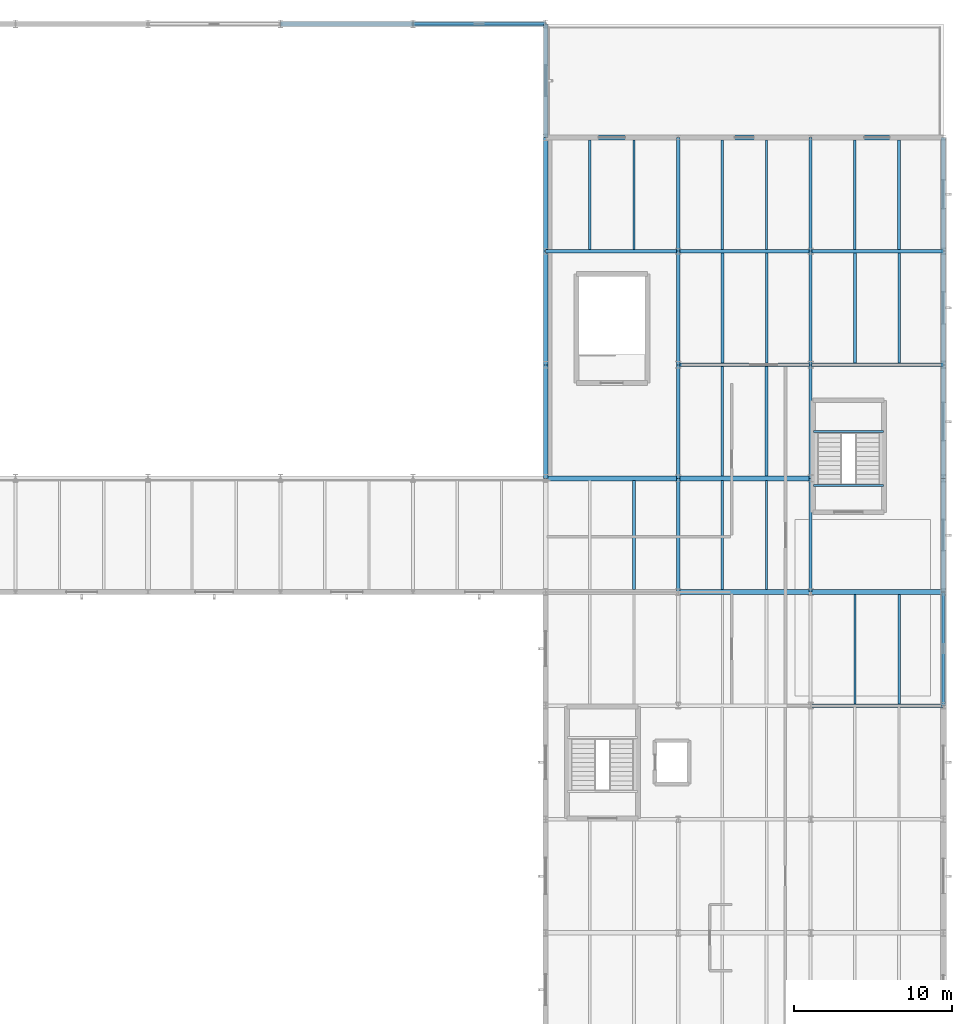
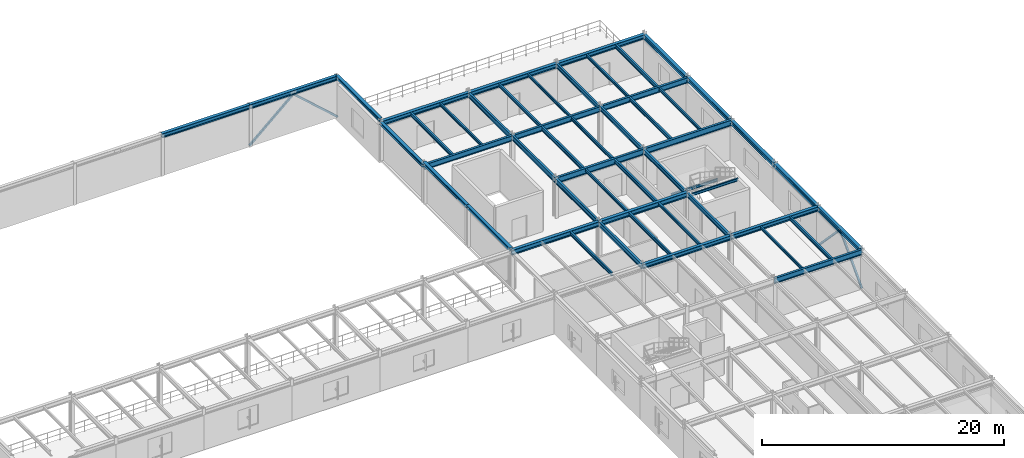
# One storey, part 44 of 109: 51 beams, 4 members.
"""IFC4 building model written with IfcOpenShell, lengths in metres."""

import ifcopenshell
import ifcopenshell.guid

model = None  # the IFC model being written
_history = None  # IfcOwnerHistory: only IFC2X3 demands one
_inside = {}  # id of a spatial element -> (the spatial element, [elements in it])
_under = {}  # id of a project, library or spatial element -> (it, [spatial elements below it])
_declared = {}  # id of a project -> (the project, [libraries it declares])
_typed = {}  # id of a type object -> (the type object, [elements of that type])
_made_of = {}  # id of a material, layer set ... -> (it, [elements and type objects made of it])


def new_model(schema):
    """Start an empty IFC model of exactly this schema.

    Asked for "IFC4X3", IfcOpenShell would pick the latest addendum, in which some entities
    have other attributes; the version numbers below select the first issue.
    IFC2X3 requires an IfcOwnerHistory on every rooted entity: one is made here for all.
    """
    global model, _history
    if schema == "IFC4X3":
        model = ifcopenshell.file(schema_version=(4, 3, 0, 0))
    else:
        model = ifcopenshell.file(schema=schema)
    _inside.clear()
    _under.clear()
    _declared.clear()
    _typed.clear()
    _made_of.clear()
    _history = None
    if model.schema == "IFC2X3":
        org = make("IfcOrganization", Name="unknown")
        user = make(
            "IfcPersonAndOrganization",
            ThePerson=make("IfcPerson", FamilyName="unknown"),
            TheOrganization=org,
        )
        app = make(
            "IfcApplication",
            ApplicationDeveloper=org,
            Version="unknown",
            ApplicationFullName="unknown",
            ApplicationIdentifier="unknown",
        )
        _history = make(
            "IfcOwnerHistory",
            OwningUser=user,
            OwningApplication=app,
            ChangeAction="ADDED",
            CreationDate=0,
        )
    return model


def make(cls, **values):
    """One entity of the class cls with the attributes given. An attribute that is None is left unset."""
    return model.create_entity(
        cls, **{name: value for name, value in values.items() if value is not None}
    )


def rooted(cls, **values):
    """An entity with a GlobalId (a new one), such as an element, a storey or a relation."""
    return make(cls, GlobalId=ifcopenshell.guid.new(), OwnerHistory=_history, **values)


def si_unit(unit_type, name, prefix=None):
    """IfcSIUnit, for example si_unit("LENGTHUNIT", "METRE", prefix="MILLI")."""
    return make("IfcSIUnit", UnitType=unit_type, Prefix=prefix, Name=name)


def derived_unit(unit_type, elements):
    """IfcDerivedUnit: a product of units, each with its exponent."""
    return make(
        "IfcDerivedUnit",
        Elements=[
            make("IfcDerivedUnitElement", Unit=unit, Exponent=power)
            for unit, power in elements
        ],
        UnitType=unit_type,
    )


def assignment(units):
    """IfcUnitAssignment: the units of a project."""
    return None if units is None else make("IfcUnitAssignment", Units=units)


def point(xyz):
    """IfcCartesianPoint."""
    return None if xyz is None else make("IfcCartesianPoint", Coordinates=xyz)


def direction(xyz):
    """IfcDirection."""
    return None if xyz is None else make("IfcDirection", DirectionRatios=xyz)


def frame(location, z_axis=None, x_axis=None):
    """IfcAxis2Placement3D, a coordinate frame: its origin and axes. An axis left out is left unset."""
    return make(
        "IfcAxis2Placement3D",
        Location=point(location),
        Axis=direction(z_axis),
        RefDirection=direction(x_axis),
    )


def frame_2d(location, x_axis=None):
    """IfcAxis2Placement2D, a coordinate frame in the plane: its origin and x axis."""
    return make(
        "IfcAxis2Placement2D", Location=point(location), RefDirection=direction(x_axis)
    )


def origin():
    """The frame at (0, 0, 0) with its axes left unset."""
    return frame((0.0, 0.0, 0.0))


def origin_2d():
    """The frame at (0, 0) in the plane with its x axis left unset."""
    return frame_2d((0.0, 0.0))


def place(relative_to, where):
    """IfcLocalPlacement: puts the frame where relative to a parent placement (None: the world)."""
    return make(
        "IfcLocalPlacement", PlacementRelTo=relative_to, RelativePlacement=where
    )


def context(
    kind, dimensions, precision=None, world=None, true_north=None, identifier=None
):
    """IfcGeometricRepresentationContext, for example the 3D "Model" context."""
    return make(
        "IfcGeometricRepresentationContext",
        ContextIdentifier=identifier,
        ContextType=kind,
        CoordinateSpaceDimension=dimensions,
        Precision=precision,
        WorldCoordinateSystem=world,
        TrueNorth=true_north,
    )


def subcontext(parent, identifier, kind, view, scale=None):
    """IfcGeometricRepresentationSubContext, for example "Body" below "Model"."""
    return make(
        "IfcGeometricRepresentationSubContext",
        ContextIdentifier=identifier,
        ContextType=kind,
        ParentContext=parent,
        TargetScale=scale,
        TargetView=view,
    )


def project(units=None, contexts=None):
    """IfcProject with its units and contexts."""
    return rooted(
        "IfcProject",
        Name="project",
        RepresentationContexts=contexts,
        UnitsInContext=assignment(units),
    )


def spatial(cls, under=None, at=None, **own):
    """A site, building, storey or space (cls), placed at a placement, below another one or the project."""
    s = rooted(cls, ObjectPlacement=at, **own)
    if under is not None:
        _under.setdefault(under.id(), (under, []))[1].append(s)
    return s


def profile(cls, at=None, kind="AREA", **sizes):
    """A parametric profile (cls). Its sizes go by their IFC names, for example OverallWidth=200.0."""
    return make(cls, ProfileType=kind, Position=at, **sizes)


def hollow_rectangle(**sizes):
    """IfcRectangleHollowProfileDef."""
    return profile("IfcRectangleHollowProfileDef", **sizes)


def i_section(**sizes):
    """IfcIShapeProfileDef."""
    return profile("IfcIShapeProfileDef", **sizes)


def extrude(swept, where, along, depth):
    """IfcExtrudedAreaSolid: the profile swept, set in the frame where, extruded along a direction by depth."""
    return make(
        "IfcExtrudedAreaSolid",
        SweptArea=swept,
        Position=where,
        ExtrudedDirection=direction(along),
        Depth=depth,
    )


def shape(context_of_items, identifier, shape_type, items):
    """IfcShapeRepresentation: the items that make up one representation, for example the "Body"."""
    return make(
        "IfcShapeRepresentation",
        ContextOfItems=context_of_items,
        RepresentationIdentifier=identifier,
        RepresentationType=shape_type,
        Items=items,
    )


def material(Name=None, Category=None):
    """IfcMaterial."""
    return make("IfcMaterial", Name=Name, Category=Category)


def material_profile(
    of_material, cross_section, Name=None, Category=None, Priority=None
):
    """IfcMaterialProfile: a cross section and its material."""
    return make(
        "IfcMaterialProfile",
        Name=Name,
        Material=of_material,
        Profile=cross_section,
        Priority=Priority,
        Category=Category,
    )


def profile_set(profiles, Name=None, composite=None):
    """IfcMaterialProfileSet."""
    return make(
        "IfcMaterialProfileSet",
        Name=Name,
        MaterialProfiles=profiles,
        CompositeProfile=composite,
    )


def made_of(thing, what):
    """Note that an element or type object is made of a material, layer set ...; save() writes the relation."""
    if what is not None:
        _made_of.setdefault(what.id(), (what, []))[1].append(thing)
    return thing


def type_object(cls, material=None, **own):
    """A type object (cls), such as IfcWallType, which elements share."""
    return made_of(rooted(cls, **own), material)


def element(
    cls,
    number,
    at=None,
    inside=None,
    cuts=None,
    type_object=None,
    material=None,
    context=None,
    identifier="Body",
    shape_type=None,
    held_by="IfcProductDefinitionShape",
    body=None,
    shapes=None,
    **own,
):
    """One element of the class cls, such as IfcWall. Its Tag is "e" and its number.

    at: its placement. inside: the storey or other place that contains it. cuts: it is an
    opening in that element (IfcRelVoidsElement). A single representation is given by context,
    identifier, shape_type and body (its items); several are given by shapes. held_by: the class
    of the entity that holds the representations. save() writes the other relations.
    """
    e = rooted(cls, Tag="e%d" % number, ObjectPlacement=at, **own)
    if body is not None:
        shapes = [shape(context, identifier, shape_type, body)]
    if shapes is not None:
        e.Representation = make(held_by, Representations=shapes)
    if inside is not None:
        _inside.setdefault(inside.id(), (inside, []))[1].append(e)
    if cuts is not None:
        rooted(
            "IfcRelVoidsElement", RelatingBuildingElement=cuts, RelatedOpeningElement=e
        )
    if type_object is not None:
        _typed.setdefault(type_object.id(), (type_object, []))[1].append(e)
    return made_of(e, material)


def aggregate(whole, parts):
    """IfcRelAggregates: a whole, such as a stair, and the parts it consists of."""
    return rooted("IfcRelAggregates", RelatingObject=whole, RelatedObjects=parts)


def save(model, path):
    """Write the relations noted so far, then the file.

    IfcRelAggregates (storeys below a building ...), IfcRelContainedInSpatialStructure (elements
    in a storey), IfcRelDefinesByType, IfcRelAssociatesMaterial and IfcRelDeclares: one each for
    every whole, place, type object, material and project.
    """
    for whole, parts in _under.values():
        aggregate(whole, parts)
    for where, things in _inside.values():
        rooted(
            "IfcRelContainedInSpatialStructure",
            RelatedElements=things,
            RelatingStructure=where,
        )
    for kind, things in _typed.values():
        rooted("IfcRelDefinesByType", RelatedObjects=things, RelatingType=kind)
    for what, things in _made_of.values():
        rooted("IfcRelAssociatesMaterial", RelatedObjects=things, RelatingMaterial=what)
    for by, libraries in _declared.values():
        rooted("IfcRelDeclares", RelatingContext=by, RelatedDefinitions=libraries)
    model.write(path)


model = new_model("IFC4")

# Units and contexts
model_context = context("Model", 3, precision=1e-05, world=origin(), true_north=direction((0.0, 1.0)))
body_context = subcontext(model_context, "Body", "Model", "MODEL_VIEW")
ifc_project = project(units=[si_unit("LENGTHUNIT", "METRE"), si_unit("AREAUNIT", "SQUARE_METRE"), si_unit("VOLUMEUNIT", "CUBIC_METRE"), si_unit("PLANEANGLEUNIT", "RADIAN"), si_unit("MASSUNIT", "GRAM", prefix="KILO"), derived_unit("THERMALTRANSMITTANCEUNIT", [(si_unit("MASSUNIT", "GRAM", prefix="KILO"), 1), (si_unit("TIMEUNIT", "SECOND"), -3), (si_unit("THERMODYNAMICTEMPERATUREUNIT", "KELVIN"), -1)])], contexts=[model_context])

# Site, building, storey
site_placement = place(None, origin())
site = spatial("IfcSite", under=ifc_project, at=site_placement, CompositionType="ELEMENT")
building_placement = place(site_placement, origin())
building = spatial("IfcBuilding", under=site, at=building_placement, Name="Kharveza Railside Sports Centre", CompositionType="ELEMENT")
storey_placement = place(building_placement, frame((0.0, 0.0, 4.5)))
storey = spatial("IfcBuildingStorey", under=building, at=storey_placement, Name="L01", CompositionType="ELEMENT", Elevation=4.5)

# Beams
ifc_material = material(Name="Steel S355J2", Category="steel")
ifc_material_profile_1 = material_profile(ifc_material, i_section(OverallWidth=0.219970703125, OverallDepth=0.60009765625, WebThickness=0.011962890625, FlangeThickness=0.01904296875, FilletRadius=0.02392578125, at=origin_2d()), Name="IPE 600")
ifc_profile_set_1 = profile_set([ifc_material_profile_1], Name="Steel S355J2")
beam_type_1 = type_object("IfcBeamType", Name="BM-G01", PredefinedType="T_BEAM", material=ifc_profile_set_1)
beam_1_placement = place(storey_placement, frame((151.199951171875, 86.39990234375, 3.699951171875), z_axis=(1.0, 0.0, 0.0), x_axis=(0.0, 1.0, 0.0)))
element("IfcBeam", 1, at=beam_1_placement, inside=storey, type_object=beam_type_1, Name="BM-EW-L01-B01-X1512-Y864", PredefinedType="T_BEAM", context=body_context, shape_type="SweptSolid", body=[
    extrude(i_section(OverallWidth=0.219970703125, OverallDepth=0.60009765625, WebThickness=0.011962890625, FlangeThickness=0.01904296875, FilletRadius=0.02392578125, at=origin_2d()), origin(), (0.0, 0.0, 1.0), 8.400146484375),
])
beam_2_placement = place(storey_placement, frame((159.60009765625, 86.39990234375, 3.699951171875), z_axis=(1.0, 0.0, 0.0), x_axis=(0.0, 1.0, 0.0)))
element("IfcBeam", 2, at=beam_2_placement, inside=storey, type_object=beam_type_1, Name="BM-EW-L01-B01-X1596-Y864", PredefinedType="T_BEAM", context=body_context, shape_type="SweptSolid", body=[
    extrude(i_section(OverallWidth=0.219970703125, OverallDepth=0.60009765625, WebThickness=0.011962890625, FlangeThickness=0.01904296875, FilletRadius=0.02392578125, at=origin_2d()), origin(), (0.0, 0.0, 1.0), 8.39990234375),
])
ifc_material_profile_2 = material_profile(ifc_material, i_section(OverallWidth=0.2099609375, OverallDepth=0.550048828125, WebThickness=0.010986328125, FlangeThickness=0.01708984375, FilletRadius=0.02392578125, at=origin_2d()), Name="IPE 550")
ifc_profile_set_2 = profile_set([ifc_material_profile_2], Name="Steel S355J2")
beam_type_2 = type_object("IfcBeamType", Name="BM-G02", PredefinedType="T_BEAM", material=ifc_profile_set_2)
beam_3_placement = place(storey_placement, frame((142.800048828125, 93.60009765625, 3.64501953125), z_axis=(1.0, 0.0, 0.0), x_axis=(0.0, 1.0, 0.0)))
element("IfcBeam", 3, at=beam_3_placement, inside=storey, type_object=beam_type_2, Name="BM-EW-L01-B02-X1428-Y936", PredefinedType="T_BEAM", context=body_context, shape_type="SweptSolid", body=[
    extrude(i_section(OverallWidth=0.2099609375, OverallDepth=0.550048828125, WebThickness=0.010986328125, FlangeThickness=0.01708984375, FilletRadius=0.02392578125, at=origin_2d()), origin(), (0.0, 0.0, 1.0), 8.39990234375),
])
beam_4_placement = place(storey_placement, frame((151.199951171875, 93.60009765625, 3.64501953125), z_axis=(1.0, 0.0, 0.0), x_axis=(0.0, 1.0, 0.0)))
element("IfcBeam", 4, at=beam_4_placement, inside=storey, type_object=beam_type_2, Name="BM-EW-L01-B02-X1512-Y936", PredefinedType="T_BEAM", context=body_context, shape_type="SweptSolid", body=[
    extrude(i_section(OverallWidth=0.2099609375, OverallDepth=0.550048828125, WebThickness=0.010986328125, FlangeThickness=0.01708984375, FilletRadius=0.02392578125, at=origin_2d()), origin(), (0.0, 0.0, 1.0), 8.400146484375),
])
for number, where, z_axis, x_axis, name in (
    (5, (159.60009765625, 64.800048828125, 3.72509765625), (1.0, 0.0, 0.0), (0.0, 1.0, 0.0), "BM-EW-L01-B02-X1596-Y648"),
    (6, (159.60009765625, 93.60009765625, 3.64501953125), (1.0, 0.0, 0.0), (0.0, 1.0, 0.0), "BM-EW-L01-B02-X1596-Y936"),
):
    element("IfcBeam", number, at=place(storey_placement, frame(where, z_axis=z_axis, x_axis=x_axis)), inside=storey, type_object=beam_type_2, Name=name, PredefinedType="T_BEAM", context=body_context, shape_type="SweptSolid", body=[
        extrude(i_section(OverallWidth=0.2099609375, OverallDepth=0.550048828125, WebThickness=0.010986328125, FlangeThickness=0.01708984375, FilletRadius=0.02392578125, at=origin_2d()), origin(), (0.0, 0.0, 1.0), 8.39990234375),
    ])
ifc_material_profile_3 = material_profile(ifc_material, i_section(OverallWidth=0.199951171875, OverallDepth=0.5, WebThickness=0.01025390625, FlangeThickness=0.01611328125, FilletRadius=0.02099609375, at=origin_2d()), Name="IPE 500")
ifc_profile_set_3 = profile_set([ifc_material_profile_3], Name="Steel S355J2")
beam_type_3 = type_object("IfcBeamType", Name="BM-G03", PredefinedType="T_BEAM", material=ifc_profile_set_3)
for number, where, z_axis, x_axis, name in (
    (7, (151.199951171875, 72.0, 3.75), (0.0, 1.0, 0.0), (-1.0, 0.0, 0.0), "BM-NS-L01-B03-X1512-Y720"),
    (8, (151.199951171875, 79.199951171875, 3.75), (0.0, 1.0, 0.0), (-1.0, 0.0, 0.0), "BM-NS-L01-B03-X1512-Y792"),
):
    element("IfcBeam", number, at=place(storey_placement, frame(where, z_axis=z_axis, x_axis=x_axis)), inside=storey, type_object=beam_type_3, Name=name, PredefinedType="T_BEAM", context=body_context, shape_type="SweptSolid", body=[
        extrude(i_section(OverallWidth=0.199951171875, OverallDepth=0.5, WebThickness=0.01025390625, FlangeThickness=0.01611328125, FilletRadius=0.02099609375, at=origin_2d()), origin(), (0.0, 0.0, 1.0), 7.199951171875),
    ])
beam_5_placement = place(storey_placement, frame((151.199951171875, 86.39990234375, 3.75), z_axis=(0.0, 1.0, 0.0), x_axis=(-1.0, 0.0, 0.0)))
element("IfcBeam", 9, at=beam_5_placement, inside=storey, type_object=beam_type_3, Name="BM-NS-L01-B03-X1512-Y864", PredefinedType="T_BEAM", context=body_context, shape_type="SweptSolid", body=[
    extrude(i_section(OverallWidth=0.199951171875, OverallDepth=0.5, WebThickness=0.01025390625, FlangeThickness=0.01611328125, FilletRadius=0.02099609375, at=origin_2d()), origin(), (0.0, 0.0, 1.0), 7.2001953125),
])
beam_6_placement = place(storey_placement, frame((151.199951171875, 93.60009765625, 3.669921875), z_axis=(0.0, 1.0, 0.0), x_axis=(-1.0, 0.0, 0.0)))
element("IfcBeam", 10, at=beam_6_placement, inside=storey, type_object=beam_type_3, Name="BM-NS-L01-B03-X1512-Y936", PredefinedType="T_BEAM", context=body_context, shape_type="SweptSolid", body=[
    extrude(i_section(OverallWidth=0.199951171875, OverallDepth=0.5, WebThickness=0.01025390625, FlangeThickness=0.01611328125, FilletRadius=0.02099609375, at=origin_2d()), origin(), (0.0, 0.0, 1.0), 7.199951171875),
])
ifc_material_profile_4 = material_profile(ifc_material, i_section(OverallWidth=0.18994140625, OverallDepth=0.449951171875, WebThickness=0.009521484375, FlangeThickness=0.0146484375, FilletRadius=0.02099609375, at=origin_2d()), Name="IPE 450")
ifc_profile_set_4 = profile_set([ifc_material_profile_4], Name="Steel S355J2")
beam_type_4 = type_object("IfcBeamType", Name="BM-G04", PredefinedType="T_BEAM", material=ifc_profile_set_4)
for number, where, z_axis, x_axis, name in (
    (11, (159.60009765625, 72.0, 3.77490234375), (0.0, 1.0, 0.0), (-1.0, 0.0, 0.0), "BM-NS-L01-B04-X1596-Y720"),
    (12, (159.60009765625, 79.199951171875, 3.77490234375), (0.0, 1.0, 0.0), (-1.0, 0.0, 0.0), "BM-NS-L01-B04-X1596-Y792"),
):
    element("IfcBeam", number, at=place(storey_placement, frame(where, z_axis=z_axis, x_axis=x_axis)), inside=storey, type_object=beam_type_4, Name=name, PredefinedType="T_BEAM", context=body_context, shape_type="SweptSolid", body=[
        extrude(i_section(OverallWidth=0.18994140625, OverallDepth=0.449951171875, WebThickness=0.009521484375, FlangeThickness=0.0146484375, FilletRadius=0.02099609375, at=origin_2d()), origin(), (0.0, 0.0, 1.0), 7.199951171875),
    ])
beam_7_placement = place(storey_placement, frame((159.60009765625, 86.39990234375, 3.77490234375), z_axis=(0.0, 1.0, 0.0), x_axis=(-1.0, 0.0, 0.0)))
element("IfcBeam", 13, at=beam_7_placement, inside=storey, type_object=beam_type_4, Name="BM-NS-L01-B04-X1596-Y864", PredefinedType="T_BEAM", context=body_context, shape_type="SweptSolid", body=[
    extrude(i_section(OverallWidth=0.18994140625, OverallDepth=0.449951171875, WebThickness=0.009521484375, FlangeThickness=0.0146484375, FilletRadius=0.02099609375, at=origin_2d()), origin(), (0.0, 0.0, 1.0), 7.2001953125),
])
beam_8_placement = place(storey_placement, frame((159.60009765625, 93.60009765625, 3.695068359375), z_axis=(0.0, 1.0, 0.0), x_axis=(-1.0, 0.0, 0.0)))
element("IfcBeam", 14, at=beam_8_placement, inside=storey, type_object=beam_type_4, Name="BM-NS-L01-B04-X1596-Y936", PredefinedType="T_BEAM", context=body_context, shape_type="SweptSolid", body=[
    extrude(i_section(OverallWidth=0.18994140625, OverallDepth=0.449951171875, WebThickness=0.009521484375, FlangeThickness=0.0146484375, FilletRadius=0.02099609375, at=origin_2d()), origin(), (0.0, 0.0, 1.0), 7.199951171875),
])
ifc_material_profile_5 = material_profile(ifc_material, i_section(OverallWidth=0.300048828125, OverallDepth=0.5, WebThickness=0.014404296875, FlangeThickness=0.028076171875, FilletRadius=0.027099609375, at=origin_2d()), Name="HEB 500")
ifc_profile_set_5 = profile_set([ifc_material_profile_5], Name="Steel S355J2")
beam_type_5 = type_object("IfcBeamType", Name="BM-G05", PredefinedType="T_BEAM", material=ifc_profile_set_5)
beam_9_placement = place(storey_placement, frame((142.800048828125, 79.199951171875, 3.75), z_axis=(1.0, 0.0, 0.0), x_axis=(0.0, 1.0, 0.0)))
element("IfcBeam", 15, at=beam_9_placement, inside=storey, type_object=beam_type_5, Name="BM-EW-L01-B05-X1428-Y792", PredefinedType="T_BEAM", context=body_context, shape_type="SweptSolid", body=[
    extrude(i_section(OverallWidth=0.300048828125, OverallDepth=0.5, WebThickness=0.014404296875, FlangeThickness=0.028076171875, FilletRadius=0.027099609375, at=origin_2d()), origin(), (0.0, 0.0, 1.0), 8.39990234375),
])
beam_10_placement = place(storey_placement, frame((151.199951171875, 79.199951171875, 3.75), z_axis=(1.0, 0.0, 0.0), x_axis=(0.0, 1.0, 0.0)))
element("IfcBeam", 16, at=beam_10_placement, inside=storey, type_object=beam_type_5, Name="BM-EW-L01-B05-X1512-Y792", PredefinedType="T_BEAM", context=body_context, shape_type="SweptSolid", body=[
    extrude(i_section(OverallWidth=0.300048828125, OverallDepth=0.5, WebThickness=0.014404296875, FlangeThickness=0.028076171875, FilletRadius=0.027099609375, at=origin_2d()), origin(), (0.0, 0.0, 1.0), 8.400146484375),
])
ifc_material_profile_6 = material_profile(ifc_material, i_section(OverallWidth=0.300048828125, OverallDepth=0.449951171875, WebThickness=0.013916015625, FlangeThickness=0.02587890625, FilletRadius=0.027099609375, at=origin_2d()), Name="HEB 450")
ifc_profile_set_6 = profile_set([ifc_material_profile_6], Name="Steel S355J2")
beam_type_6 = type_object("IfcBeamType", Name="BM-G06", PredefinedType="T_BEAM", material=ifc_profile_set_6)
beam_11_placement = place(storey_placement, frame((142.800048828125, 100.800048828125, 3.695068359375), z_axis=(1.0, 0.0, 0.0), x_axis=(0.0, 1.0, 0.0)))
element("IfcBeam", 17, at=beam_11_placement, inside=storey, type_object=beam_type_6, Name="BM-EW-L01-B06-X1428-Y1008", PredefinedType="T_BEAM", context=body_context, shape_type="SweptSolid", body=[
    extrude(i_section(OverallWidth=0.300048828125, OverallDepth=0.449951171875, WebThickness=0.013916015625, FlangeThickness=0.02587890625, FilletRadius=0.027099609375, at=origin_2d()), origin(), (0.0, 0.0, 1.0), 8.39990234375),
])
for number, where, z_axis, x_axis, name in (
    (18, (151.199951171875, 72.0, 3.77490234375), (1.0, 0.0, 0.0), (0.0, 1.0, 0.0), "BM-EW-L01-B06-X1512-Y720"),
    (19, (151.199951171875, 100.800048828125, 3.695068359375), (1.0, 0.0, 0.0), (0.0, 1.0, 0.0), "BM-EW-L01-B06-X1512-Y1008"),
):
    element("IfcBeam", number, at=place(storey_placement, frame(where, z_axis=z_axis, x_axis=x_axis)), inside=storey, type_object=beam_type_6, Name=name, PredefinedType="T_BEAM", context=body_context, shape_type="SweptSolid", body=[
        extrude(i_section(OverallWidth=0.300048828125, OverallDepth=0.449951171875, WebThickness=0.013916015625, FlangeThickness=0.02587890625, FilletRadius=0.027099609375, at=origin_2d()), origin(), (0.0, 0.0, 1.0), 8.400146484375),
    ])
for number, where, z_axis, x_axis, name in (
    (20, (159.60009765625, 72.0, 3.77490234375), (1.0, 0.0, 0.0), (0.0, 1.0, 0.0), "BM-EW-L01-B06-X1596-Y720"),
    (21, (159.60009765625, 100.800048828125, 3.695068359375), (1.0, 0.0, 0.0), (0.0, 1.0, 0.0), "BM-EW-L01-B06-X1596-Y1008"),
):
    element("IfcBeam", number, at=place(storey_placement, frame(where, z_axis=z_axis, x_axis=x_axis)), inside=storey, type_object=beam_type_6, Name=name, PredefinedType="T_BEAM", context=body_context, shape_type="SweptSolid", body=[
        extrude(i_section(OverallWidth=0.300048828125, OverallDepth=0.449951171875, WebThickness=0.013916015625, FlangeThickness=0.02587890625, FilletRadius=0.027099609375, at=origin_2d()), origin(), (0.0, 0.0, 1.0), 8.39990234375),
    ])
ifc_material_profile_7 = material_profile(ifc_material, i_section(OverallWidth=0.179931640625, OverallDepth=0.39990234375, WebThickness=0.008544921875, FlangeThickness=0.013427734375, FilletRadius=0.02099609375, at=origin_2d()), Name="IPE 400")
ifc_profile_set_7 = profile_set([ifc_material_profile_7], Name="Steel S355J2")
beam_type_7 = type_object("IfcBeamType", Name="BM-S01", PredefinedType="BEAM", material=ifc_profile_set_7)
beam_12_placement = place(storey_placement, frame((156.800048828125, 79.346923828125, 3.800048828125), z_axis=(0.0, 1.0, 0.0), x_axis=(-1.0, 0.0, 0.0)))
element("IfcBeam", 22, at=beam_12_placement, inside=storey, type_object=beam_type_7, Name="BM-SEC-L01-B09-X1568-Y792", PredefinedType="BEAM", context=body_context, shape_type="SweptSolid", body=[
    extrude(i_section(OverallWidth=0.179931640625, OverallDepth=0.39990234375, WebThickness=0.008544921875, FlangeThickness=0.013427734375, FilletRadius=0.02099609375, at=origin_2d()), origin(), (0.0, 0.0, 1.0), 6.946044921875),
])
beam_13_placement = place(storey_placement, frame((154.0, 86.507080078125, 3.719970703125), z_axis=(0.0, 1.0, 0.0), x_axis=(-1.0, 0.0, 0.0)))
element("IfcBeam", 23, at=beam_13_placement, inside=storey, type_object=beam_type_7, Name="BM-SEC-L01-B09-X1540-Y864", PredefinedType="BEAM", context=body_context, shape_type="SweptSolid", body=[
    extrude(i_section(OverallWidth=0.179931640625, OverallDepth=0.39990234375, WebThickness=0.008544921875, FlangeThickness=0.013427734375, FilletRadius=0.02099609375, at=origin_2d()), origin(), (0.0, 0.0, 1.0), 6.990966796875),
])
beam_14_placement = place(storey_placement, frame((165.199951171875, 93.701904296875, 3.719970703125), z_axis=(0.0, 1.0, 0.0), x_axis=(-1.0, 0.0, 0.0)))
element("IfcBeam", 24, at=beam_14_placement, inside=storey, type_object=beam_type_7, Name="BM-SEC-L01-B09-X1652-Y936", PredefinedType="BEAM", context=body_context, shape_type="SweptSolid", body=[
    extrude(i_section(OverallWidth=0.179931640625, OverallDepth=0.39990234375, WebThickness=0.008544921875, FlangeThickness=0.013427734375, FilletRadius=0.02099609375, at=origin_2d()), origin(), (0.0, 0.0, 1.0), 6.951171875),
])
ifc_material_profile_8 = material_profile(ifc_material, i_section(OverallWidth=0.169921875, OverallDepth=0.360107421875, WebThickness=0.008056640625, FlangeThickness=0.0126953125, FilletRadius=0.01806640625, at=origin_2d()), Name="IPE 360")
ifc_profile_set_8 = profile_set([ifc_material_profile_8], Name="Steel S355J2")
beam_type_8 = type_object("IfcBeamType", Name="BM-S02", PredefinedType="BEAM", material=ifc_profile_set_8)
beam_15_placement = place(storey_placement, frame((148.39990234375, 72.14697265625, 3.820068359375), z_axis=(0.0, 1.0, 0.0), x_axis=(-1.0, 0.0, 0.0)))
element("IfcBeam", 25, at=beam_15_placement, inside=storey, type_object=beam_type_8, Name="BM-SEC-L01-B10-X1484-Y720", PredefinedType="BEAM", context=body_context, shape_type="SweptSolid", body=[
    extrude(i_section(OverallWidth=0.169921875, OverallDepth=0.360107421875, WebThickness=0.008056640625, FlangeThickness=0.0126953125, FilletRadius=0.01806640625, at=origin_2d()), origin(), (0.0, 0.0, 1.0), 6.906005859375),
])
beam_16_placement = place(storey_placement, frame((145.60009765625, 93.701904296875, 3.739990234375), z_axis=(0.0, 1.0, 0.0), x_axis=(-1.0, 0.0, 0.0)))
element("IfcBeam", 26, at=beam_16_placement, inside=storey, type_object=beam_type_8, Name="BM-SEC-L01-B10-X1456-Y936", PredefinedType="BEAM", context=body_context, shape_type="SweptSolid", body=[
    extrude(i_section(OverallWidth=0.169921875, OverallDepth=0.360107421875, WebThickness=0.008056640625, FlangeThickness=0.0126953125, FilletRadius=0.01806640625, at=origin_2d()), origin(), (0.0, 0.0, 1.0), 6.951171875),
])
beam_17_placement = place(storey_placement, frame((154.0, 72.14697265625, 3.820068359375), z_axis=(0.0, 1.0, 0.0), x_axis=(-1.0, 0.0, 0.0)))
element("IfcBeam", 27, at=beam_17_placement, inside=storey, type_object=beam_type_8, Name="BM-SEC-L01-B10-X1540-Y720", PredefinedType="BEAM", context=body_context, shape_type="SweptSolid", body=[
    extrude(i_section(OverallWidth=0.169921875, OverallDepth=0.360107421875, WebThickness=0.008056640625, FlangeThickness=0.0126953125, FilletRadius=0.01806640625, at=origin_2d()), origin(), (0.0, 0.0, 1.0), 6.906005859375),
])
beam_18_placement = place(storey_placement, frame((165.199951171875, 64.902099609375, 3.820068359375), z_axis=(0.0, 1.0, 0.0), x_axis=(-1.0, 0.0, 0.0)))
element("IfcBeam", 28, at=beam_18_placement, inside=storey, type_object=beam_type_8, Name="BM-SEC-L01-B10-X1652-Y648", PredefinedType="BEAM", context=body_context, shape_type="SweptSolid", body=[
    extrude(i_section(OverallWidth=0.169921875, OverallDepth=0.360107421875, WebThickness=0.008056640625, FlangeThickness=0.0126953125, FilletRadius=0.01806640625, at=origin_2d()), origin(), (0.0, 0.0, 1.0), 6.950927734375),
])
beam_19_placement = place(storey_placement, frame((162.39990234375, 86.507080078125, 3.739990234375), z_axis=(0.0, 1.0, 0.0), x_axis=(-1.0, 0.0, 0.0)))
element("IfcBeam", 29, at=beam_19_placement, inside=storey, type_object=beam_type_8, Name="BM-SEC-L01-B10-X1624-Y864", PredefinedType="BEAM", context=body_context, shape_type="SweptSolid", body=[
    extrude(i_section(OverallWidth=0.169921875, OverallDepth=0.360107421875, WebThickness=0.008056640625, FlangeThickness=0.0126953125, FilletRadius=0.01806640625, at=origin_2d()), origin(), (0.0, 0.0, 1.0), 6.990966796875),
])
ifc_material_profile_9 = material_profile(ifc_material, i_section(OverallWidth=0.159912109375, OverallDepth=0.330078125, WebThickness=0.007568359375, FlangeThickness=0.011474609375, FilletRadius=0.01806640625, at=origin_2d()), Name="IPE 330")
ifc_profile_set_9 = profile_set([ifc_material_profile_9], Name="Steel S355J2")
beam_type_9 = type_object("IfcBeamType", Name="BM-S03", PredefinedType="BEAM", material=ifc_profile_set_9)
beam_20_placement = place(storey_placement, frame((156.800048828125, 86.507080078125, 3.7548828125), z_axis=(0.0, 1.0, 0.0), x_axis=(-1.0, 0.0, 0.0)))
element("IfcBeam", 30, at=beam_20_placement, inside=storey, type_object=beam_type_9, Name="BM-SEC-L01-B11-X1568-Y864", PredefinedType="BEAM", context=body_context, shape_type="SweptSolid", body=[
    extrude(i_section(OverallWidth=0.159912109375, OverallDepth=0.330078125, WebThickness=0.007568359375, FlangeThickness=0.011474609375, FilletRadius=0.01806640625, at=origin_2d()), origin(), (0.0, 0.0, 1.0), 6.990966796875),
])
beam_21_placement = place(storey_placement, frame((154.0, 93.701904296875, 3.7548828125), z_axis=(0.0, 1.0, 0.0), x_axis=(-1.0, 0.0, 0.0)))
element("IfcBeam", 31, at=beam_21_placement, inside=storey, type_object=beam_type_9, Name="BM-SEC-L01-B11-X1540-Y936", PredefinedType="BEAM", context=body_context, shape_type="SweptSolid", body=[
    extrude(i_section(OverallWidth=0.159912109375, OverallDepth=0.330078125, WebThickness=0.007568359375, FlangeThickness=0.011474609375, FilletRadius=0.01806640625, at=origin_2d()), origin(), (0.0, 0.0, 1.0), 6.951171875),
])
ifc_material_profile_10 = material_profile(ifc_material, i_section(OverallWidth=0.14990234375, OverallDepth=0.300048828125, WebThickness=0.007080078125, FlangeThickness=0.0107421875, FilletRadius=0.014892578125, at=origin_2d()), Name="IPE 300")
ifc_profile_set_10 = profile_set([ifc_material_profile_10], Name="Steel S355J2")
beam_type_10 = type_object("IfcBeamType", Name="BM-S04", PredefinedType="BEAM", material=ifc_profile_set_10)
beam_22_placement = place(storey_placement, frame((148.39990234375, 93.701904296875, 3.77001953125), z_axis=(0.0, 1.0, 0.0), x_axis=(-1.0, 0.0, 0.0)))
element("IfcBeam", 32, at=beam_22_placement, inside=storey, type_object=beam_type_10, Name="BM-SEC-L01-B12-X1484-Y936", PredefinedType="BEAM", context=body_context, shape_type="SweptSolid", body=[
    extrude(i_section(OverallWidth=0.14990234375, OverallDepth=0.300048828125, WebThickness=0.007080078125, FlangeThickness=0.0107421875, FilletRadius=0.014892578125, at=origin_2d()), origin(), (0.0, 0.0, 1.0), 6.951171875),
])
beam_23_placement = place(storey_placement, frame((156.800048828125, 72.14697265625, 3.85009765625), z_axis=(0.0, 1.0, 0.0), x_axis=(-1.0, 0.0, 0.0)))
element("IfcBeam", 33, at=beam_23_placement, inside=storey, type_object=beam_type_10, Name="BM-SEC-L01-B12-X1568-Y720", PredefinedType="BEAM", context=body_context, shape_type="SweptSolid", body=[
    extrude(i_section(OverallWidth=0.14990234375, OverallDepth=0.300048828125, WebThickness=0.007080078125, FlangeThickness=0.0107421875, FilletRadius=0.014892578125, at=origin_2d()), origin(), (0.0, 0.0, 1.0), 6.906005859375),
])
beam_24_placement = place(storey_placement, frame((154.0, 79.346923828125, 3.85009765625), z_axis=(0.0, 1.0, 0.0), x_axis=(-1.0, 0.0, 0.0)))
element("IfcBeam", 34, at=beam_24_placement, inside=storey, type_object=beam_type_10, Name="BM-SEC-L01-B12-X1540-Y792", PredefinedType="BEAM", context=body_context, shape_type="SweptSolid", body=[
    extrude(i_section(OverallWidth=0.14990234375, OverallDepth=0.300048828125, WebThickness=0.007080078125, FlangeThickness=0.0107421875, FilletRadius=0.014892578125, at=origin_2d()), origin(), (0.0, 0.0, 1.0), 6.946044921875),
])
beam_25_placement = place(storey_placement, frame((165.199951171875, 86.507080078125, 3.77001953125), z_axis=(0.0, 1.0, 0.0), x_axis=(-1.0, 0.0, 0.0)))
element("IfcBeam", 35, at=beam_25_placement, inside=storey, type_object=beam_type_10, Name="BM-SEC-L01-B12-X1652-Y864", PredefinedType="BEAM", context=body_context, shape_type="SweptSolid", body=[
    extrude(i_section(OverallWidth=0.14990234375, OverallDepth=0.300048828125, WebThickness=0.007080078125, FlangeThickness=0.0107421875, FilletRadius=0.014892578125, at=origin_2d()), origin(), (0.0, 0.0, 1.0), 6.990966796875),
])
beam_26_placement = place(storey_placement, frame((162.39990234375, 93.701904296875, 3.77001953125), z_axis=(0.0, 1.0, 0.0), x_axis=(-1.0, 0.0, 0.0)))
element("IfcBeam", 36, at=beam_26_placement, inside=storey, type_object=beam_type_10, Name="BM-SEC-L01-B12-X1624-Y936", PredefinedType="BEAM", context=body_context, shape_type="SweptSolid", body=[
    extrude(i_section(OverallWidth=0.14990234375, OverallDepth=0.300048828125, WebThickness=0.007080078125, FlangeThickness=0.0107421875, FilletRadius=0.014892578125, at=origin_2d()), origin(), (0.0, 0.0, 1.0), 6.951171875),
])
ifc_material_profile_11 = material_profile(ifc_material, i_section(OverallWidth=0.135009765625, OverallDepth=0.27001953125, WebThickness=0.006591796875, FlangeThickness=0.01025390625, FilletRadius=0.014892578125, at=origin_2d()), Name="IPE 270")
ifc_profile_set_11 = profile_set([ifc_material_profile_11], Name="Steel S355J2")
beam_type_11 = type_object("IfcBeamType", Name="BM-S05", PredefinedType="BEAM", material=ifc_profile_set_11)
beam_27_placement = place(storey_placement, frame((156.800048828125, 93.701904296875, 3.784912109375), z_axis=(0.0, 1.0, 0.0), x_axis=(-1.0, 0.0, 0.0)))
element("IfcBeam", 37, at=beam_27_placement, inside=storey, type_object=beam_type_11, Name="BM-SEC-L01-B13-X1568-Y936", PredefinedType="BEAM", context=body_context, shape_type="SweptSolid", body=[
    extrude(i_section(OverallWidth=0.135009765625, OverallDepth=0.27001953125, WebThickness=0.006591796875, FlangeThickness=0.01025390625, FilletRadius=0.014892578125, at=origin_2d()), origin(), (0.0, 0.0, 1.0), 6.951171875),
])
beam_28_placement = place(storey_placement, frame((162.39990234375, 64.902099609375, 3.864990234375), z_axis=(0.0, 1.0, 0.0), x_axis=(-1.0, 0.0, 0.0)))
element("IfcBeam", 38, at=beam_28_placement, inside=storey, type_object=beam_type_11, Name="BM-SEC-L01-B13-X1624-Y648", PredefinedType="BEAM", context=body_context, shape_type="SweptSolid", body=[
    extrude(i_section(OverallWidth=0.135009765625, OverallDepth=0.27001953125, WebThickness=0.006591796875, FlangeThickness=0.01025390625, FilletRadius=0.014892578125, at=origin_2d()), origin(), (0.0, 0.0, 1.0), 6.950927734375),
])
for number, where, z_axis, x_axis, name in (
    (39, (159.780029296875, 82.169921875, 1.780029296875), (1.0, 0.0, 0.0), (0.0, 1.0, 0.0), "BM-HLND-ST4-L01"),
    (40, (159.780029296875, 78.760009765625, 3.8798828125), (1.0, 0.0, 0.0), (0.0, 1.0, 0.0), "BM-STLND-ST4-L02"),
):
    element("IfcBeam", number, at=place(storey_placement, frame(where, z_axis=z_axis, x_axis=x_axis)), inside=storey, type_object=beam_type_11, Name=name, PredefinedType="BEAM", context=body_context, shape_type="SweptSolid", body=[
        extrude(i_section(OverallWidth=0.135009765625, OverallDepth=0.27001953125, WebThickness=0.006591796875, FlangeThickness=0.01025390625, FilletRadius=0.014892578125, at=origin_2d()), origin(), (0.0, 0.0, 1.0), 4.43994140625),
    ])
ifc_material_profile_12 = material_profile(ifc_material, i_section(OverallWidth=0.300048828125, OverallDepth=0.31005859375, WebThickness=0.009033203125, FlangeThickness=0.015380859375, FilletRadius=0.027099609375, at=origin_2d()), Name="HEA 320")
ifc_profile_set_12 = profile_set([ifc_material_profile_12], Name="Steel S355J2")
beam_type_12 = type_object("IfcBeamType", Name="BM-S06", PredefinedType="BEAM", material=ifc_profile_set_12)
beam_29_placement = place(storey_placement, frame((142.800048828125, 79.199951171875, 4.044921875), z_axis=(0.0, 1.0, 0.0), x_axis=(-1.0, 0.0, 0.0)))
element("IfcBeam", 41, at=beam_29_placement, inside=storey, type_object=beam_type_12, Name="BM-NS-L01-B14-X1428-Y792", PredefinedType="BEAM", context=body_context, shape_type="SweptSolid", body=[
    extrude(i_section(OverallWidth=0.300048828125, OverallDepth=0.31005859375, WebThickness=0.009033203125, FlangeThickness=0.015380859375, FilletRadius=0.027099609375, at=origin_2d()), origin(), (0.0, 0.0, 1.0), 7.199951171875),
])
beam_30_placement = place(storey_placement, frame((142.800048828125, 86.39990234375, 4.044921875), z_axis=(0.0, 1.0, 0.0), x_axis=(-1.0, 0.0, 0.0)))
element("IfcBeam", 42, at=beam_30_placement, inside=storey, type_object=beam_type_12, Name="BM-NS-L01-B14-X1428-Y864", PredefinedType="BEAM", context=body_context, shape_type="SweptSolid", body=[
    extrude(i_section(OverallWidth=0.300048828125, OverallDepth=0.31005859375, WebThickness=0.009033203125, FlangeThickness=0.015380859375, FilletRadius=0.027099609375, at=origin_2d()), origin(), (0.0, 0.0, 1.0), 7.2001953125),
])
for number, where, z_axis, x_axis, name in (
    (43, (142.800048828125, 93.60009765625, 3.764892578125), (0.0, 1.0, 0.0), (-1.0, 0.0, 0.0), "BM-NS-L01-B14-X1428-Y936"),
    (44, (142.800048828125, 100.800048828125, 4.044921875), (0.0, 1.0, 0.0), (-1.0, 0.0, 0.0), "BM-NS-L01-B14-X1428-Y1008"),
):
    element("IfcBeam", number, at=place(storey_placement, frame(where, z_axis=z_axis, x_axis=x_axis)), inside=storey, type_object=beam_type_12, Name=name, PredefinedType="BEAM", context=body_context, shape_type="SweptSolid", body=[
        extrude(i_section(OverallWidth=0.300048828125, OverallDepth=0.31005859375, WebThickness=0.009033203125, FlangeThickness=0.015380859375, FilletRadius=0.027099609375, at=origin_2d()), origin(), (0.0, 0.0, 1.0), 7.199951171875),
    ])
ifc_material_profile_13 = material_profile(ifc_material, i_section(OverallWidth=0.300048828125, OverallDepth=0.43994140625, WebThickness=0.011474609375, FlangeThickness=0.02099609375, FilletRadius=0.027099609375, at=origin_2d()), Name="HEA 450")
ifc_profile_set_13 = profile_set([ifc_material_profile_13], Name="Steel S355J2")
beam_type_13 = type_object("IfcBeamType", Name="BM-SP01", PredefinedType="SPANDREL", material=ifc_profile_set_13)
beam_31_placement = place(storey_placement, frame((126.0, 108.0, 3.97998046875), z_axis=(1.0, 0.0, 0.0), x_axis=(0.0, 1.0, 0.0)))
element("IfcBeam", 45, at=beam_31_placement, inside=storey, type_object=beam_type_13, Name="BM-EW-L01-B15-X1260-Y1080", PredefinedType="SPANDREL", context=body_context, shape_type="SweptSolid", body=[
    extrude(i_section(OverallWidth=0.300048828125, OverallDepth=0.43994140625, WebThickness=0.011474609375, FlangeThickness=0.02099609375, FilletRadius=0.027099609375, at=origin_2d()), origin(), (0.0, 0.0, 1.0), 8.39990234375),
])
beam_32_placement = place(storey_placement, frame((134.39990234375, 108.0, 3.97998046875), z_axis=(1.0, 0.0, 0.0), x_axis=(0.0, 1.0, 0.0)))
element("IfcBeam", 46, at=beam_32_placement, inside=storey, type_object=beam_type_13, Name="BM-EW-L01-B15-X1344-Y1080", PredefinedType="SPANDREL", context=body_context, shape_type="SweptSolid", body=[
    extrude(i_section(OverallWidth=0.300048828125, OverallDepth=0.43994140625, WebThickness=0.011474609375, FlangeThickness=0.02099609375, FilletRadius=0.027099609375, at=origin_2d()), origin(), (0.0, 0.0, 1.0), 8.400146484375),
])
for number, where, z_axis, x_axis, name in (
    (47, (168.0, 64.800048828125, 3.780029296875), (0.0, 1.0, 0.0), (-1.0, 0.0, 0.0), "BM-NS-L01-B15-X1680-Y648"),
    (48, (168.0, 72.0, 3.780029296875), (0.0, 1.0, 0.0), (-1.0, 0.0, 0.0), "BM-NS-L01-B15-X1680-Y720"),
    (49, (168.0, 79.199951171875, 3.780029296875), (0.0, 1.0, 0.0), (-1.0, 0.0, 0.0), "BM-NS-L01-B15-X1680-Y792"),
):
    element("IfcBeam", number, at=place(storey_placement, frame(where, z_axis=z_axis, x_axis=x_axis)), inside=storey, type_object=beam_type_13, Name=name, PredefinedType="SPANDREL", context=body_context, shape_type="SweptSolid", body=[
        extrude(i_section(OverallWidth=0.300048828125, OverallDepth=0.43994140625, WebThickness=0.011474609375, FlangeThickness=0.02099609375, FilletRadius=0.027099609375, at=origin_2d()), origin(), (0.0, 0.0, 1.0), 7.199951171875),
    ])
beam_33_placement = place(storey_placement, frame((168.0, 86.39990234375, 3.780029296875), z_axis=(0.0, 1.0, 0.0), x_axis=(-1.0, 0.0, 0.0)))
element("IfcBeam", 50, at=beam_33_placement, inside=storey, type_object=beam_type_13, Name="BM-NS-L01-B15-X1680-Y864", PredefinedType="SPANDREL", context=body_context, shape_type="SweptSolid", body=[
    extrude(i_section(OverallWidth=0.300048828125, OverallDepth=0.43994140625, WebThickness=0.011474609375, FlangeThickness=0.02099609375, FilletRadius=0.027099609375, at=origin_2d()), origin(), (0.0, 0.0, 1.0), 7.2001953125),
])
beam_34_placement = place(storey_placement, frame((168.0, 93.60009765625, 3.699951171875), z_axis=(0.0, 1.0, 0.0), x_axis=(-1.0, 0.0, 0.0)))
element("IfcBeam", 51, at=beam_34_placement, inside=storey, type_object=beam_type_13, Name="BM-NS-L01-B15-X1680-Y936", PredefinedType="SPANDREL", context=body_context, shape_type="SweptSolid", body=[
    extrude(i_section(OverallWidth=0.300048828125, OverallDepth=0.43994140625, WebThickness=0.011474609375, FlangeThickness=0.02099609375, FilletRadius=0.027099609375, at=origin_2d()), origin(), (0.0, 0.0, 1.0), 7.199951171875),
])

# Members
ifc_material_profile_14 = material_profile(ifc_material, hollow_rectangle(XDim=0.179931640625, YDim=0.179931640625, WallThickness=0.010009765625, InnerFilletRadius=0.010009765625, OuterFilletRadius=0.02001953125, at=origin_2d()), Name="SHS 180x180x10.0")
ifc_profile_set_14 = profile_set([ifc_material_profile_14], Name="Steel S355J2")
member_type = type_object("IfcMemberType", Name="MB-BR01", PredefinedType="BRACE", material=ifc_profile_set_14)
member_1_placement = place(storey_placement, frame((134.39990234375, 108.0, 0.0), z_axis=(0.74595304797, 0.0, 0.665998536202), x_axis=(0.0, 1.0, 0.0)))
element("IfcMember", 52, at=member_1_placement, inside=storey, type_object=member_type, Name="MB-CHEV-EW-008A", PredefinedType="BRACE", context=body_context, shape_type="SweptSolid", body=[
    extrude(hollow_rectangle(XDim=0.179931640625, YDim=0.179931640625, WallThickness=0.010009765625, InnerFilletRadius=0.010009765625, OuterFilletRadius=0.02001953125, at=origin_2d()), origin(), (0.0, 0.0, 1.0), 5.630615234375),
])
member_2_placement = place(storey_placement, frame((142.800048828125, 108.0, 0.0), z_axis=(-0.745933814853, 0.0, 0.666020077669), x_axis=(0.0, -1.0, 0.0)))
element("IfcMember", 53, at=member_2_placement, inside=storey, type_object=member_type, Name="MB-CHEV-EW-008B", PredefinedType="BRACE", context=body_context, shape_type="SweptSolid", body=[
    extrude(hollow_rectangle(XDim=0.179931640625, YDim=0.179931640625, WallThickness=0.010009765625, InnerFilletRadius=0.010009765625, OuterFilletRadius=0.02001953125, at=origin_2d()), origin(), (0.0, 0.0, 1.0), 5.63037109375),
])
member_3_placement = place(storey_placement, frame((168.0, 64.800048828125, 0.0), z_axis=(0.0, 0.692517163318, 0.721401399021), x_axis=(-1.0, 0.0, 0.0)))
element("IfcMember", 54, at=member_3_placement, inside=storey, type_object=member_type, Name="MB-CHEV-NS-019A", PredefinedType="BRACE", context=body_context, shape_type="SweptSolid", body=[
    extrude(hollow_rectangle(XDim=0.179931640625, YDim=0.179931640625, WallThickness=0.010009765625, InnerFilletRadius=0.010009765625, OuterFilletRadius=0.02001953125, at=origin_2d()), origin(), (0.0, 0.0, 1.0), 5.1982421875),
])
member_4_placement = place(storey_placement, frame((168.0, 72.0, 0.0), z_axis=(0.0, -0.692541604294, 0.721377935844), x_axis=(1.0, 0.0, 0.0)))
element("IfcMember", 55, at=member_4_placement, inside=storey, type_object=member_type, Name="MB-CHEV-NS-019B", PredefinedType="BRACE", context=body_context, shape_type="SweptSolid", body=[
    extrude(hollow_rectangle(XDim=0.179931640625, YDim=0.179931640625, WallThickness=0.010009765625, InnerFilletRadius=0.010009765625, OuterFilletRadius=0.02001953125, at=origin_2d()), origin(), (0.0, 0.0, 1.0), 5.198486328125),
])

save(model, "model.ifc")
